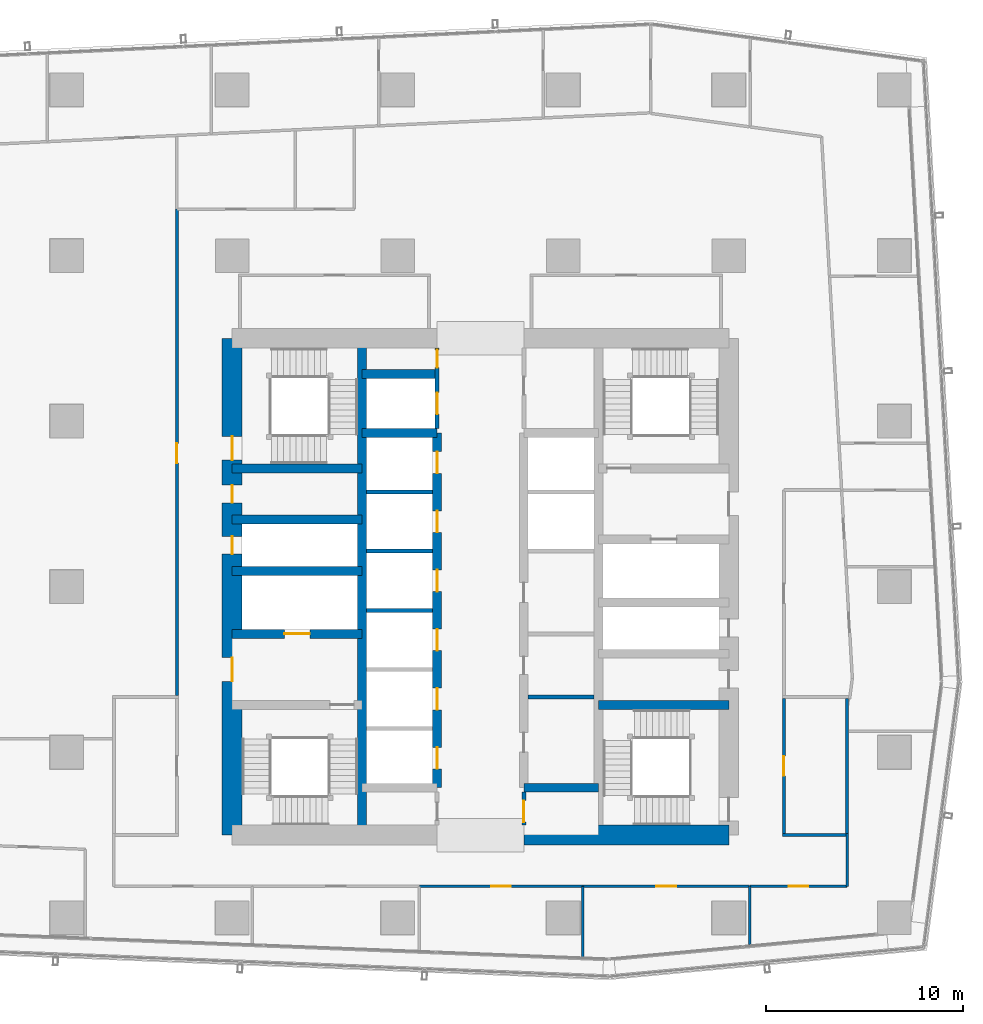
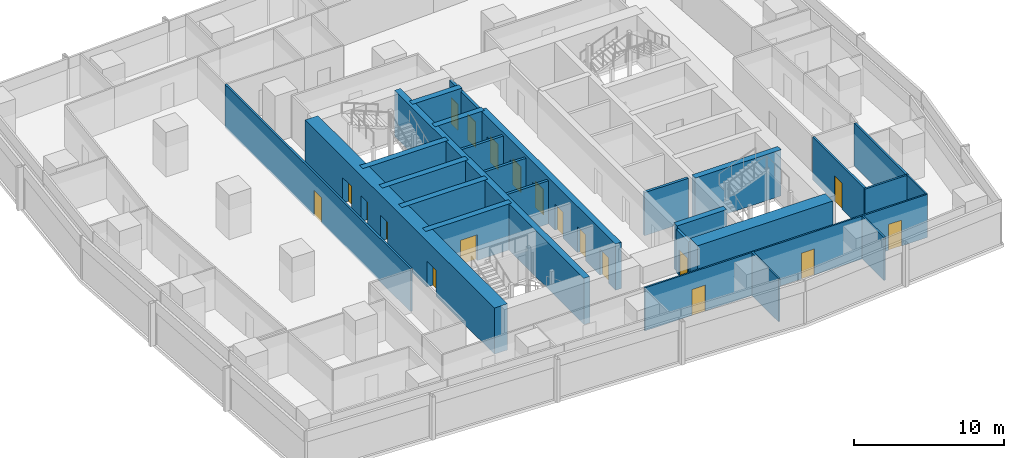
# One storey, part 28 of 39: 28 walls, 19 doors, 19 openings.
"""IFC4 building model written with IfcOpenShell, lengths in metres."""

from ifc_helpers import new_model, si_unit, direction, frame, frame_2d, origin, place, context, subcontext, project, spatial, rectangle, extrude, material, layer, layer_set, type_object, element, fill, save


model = new_model("IFC4")

# Units and contexts
model_context = context("Model", 3, precision=1e-05, world=origin(), true_north=direction((0.0, 1.0)))
body_context = subcontext(model_context, "Body", "Model", "MODEL_VIEW")
ifc_project = project(units=[si_unit("LENGTHUNIT", "METRE"), si_unit("AREAUNIT", "SQUARE_METRE"), si_unit("VOLUMEUNIT", "CUBIC_METRE"), si_unit("PLANEANGLEUNIT", "RADIAN"), si_unit("MASSUNIT", "GRAM", prefix="KILO")], contexts=[model_context])

# Site, building, storey
site_placement = place(None, origin())
site = spatial("IfcSite", under=ifc_project, at=site_placement, CompositionType="ELEMENT")
building_placement = place(site_placement, origin())
building = spatial("IfcBuilding", under=site, at=building_placement, Name="Rekha Terrace Tower", CompositionType="ELEMENT")
storey_placement = place(building_placement, frame((0.0, 0.0, 183.949951171875)))
storey = spatial("IfcBuildingStorey", under=building, at=storey_placement, Name="L46", CompositionType="ELEMENT", Elevation=183.949951171875)

# Wall
ifc_material_1 = material(Name="Concrete M60", Category="concrete")
ifc_layer_1 = layer(ifc_material_1, 0.449951171875)
ifc_layer_set_1 = layer_set([ifc_layer_1], Name="Concrete M60")
wall_type_1 = type_object("IfcWallType", Name="CI3 450 core internal shear wall", PredefinedType="SHEAR", material=ifc_layer_set_1)
wall_1_placement = place(storey_placement, frame((31.800048828125, 21.0, 0.0), z_axis=(0.0, 0.0, 1.0), x_axis=(0.0, 1.0, 0.0)))
element("IfcWall", 1, at=wall_1_placement, inside=storey, type_object=wall_type_1, Name="Core wall X318 L46", PredefinedType="SHEAR", context=body_context, shape_type="SweptSolid", body=[
    extrude(rectangle(XDim=25.199951171875, YDim=0.449951171875, at=frame_2d((12.60009765625, 0.0))), origin(), (0.0, 0.0, 1.0), 3.75),
])

# Wall, openings, doors
wall_2_placement = place(storey_placement, frame((35.60009765625, 23.39990234375, 0.0), z_axis=(0.0, 0.0, 1.0), x_axis=(0.0, 1.0, 0.0)))
wall_2 = element("IfcWall", 2, at=wall_2_placement, inside=storey, type_object=wall_type_1, Name="Core wall X356 L46", PredefinedType="SHEAR", context=body_context, shape_type="SweptSolid", body=[
    extrude(rectangle(XDim=18.0, YDim=0.449951171875, at=frame_2d((9.0, 0.0))), origin(), (0.0, 0.0, 1.0), 3.75),
])
opening_1_placement = place(wall_2_placement, frame((0.949951171875, 0.0, 0.0)))
opening_1 = element("IfcOpeningElement", 3, at=opening_1_placement, cuts=wall_2, Name="Opening LD1", PredefinedType="OPENING", context=body_context, shape_type="SweptSolid", body=[
    extrude(rectangle(XDim=1.10009765625, YDim=2.10009765625, at=frame_2d((0.550048828125, 1.050048828125))), frame((0.0, 0.23486328125, 0.0), z_axis=(0.0, -1.0, 0.0), x_axis=(1.0, 0.0, 0.0)), (0.0, 0.0, 1.0), 0.469970703125),
])
opening_2_placement = place(wall_2_placement, frame((3.949951171875, 0.0, 0.0)))
opening_2 = element("IfcOpeningElement", 4, at=opening_2_placement, cuts=wall_2, Name="Opening LD1", PredefinedType="OPENING", context=body_context, shape_type="SweptSolid", body=[
    extrude(rectangle(XDim=1.10009765625, YDim=2.10009765625, at=frame_2d((0.550048828125, 1.050048828125))), frame((0.0, 0.23486328125, 0.0), z_axis=(0.0, -1.0, 0.0), x_axis=(1.0, 0.0, 0.0)), (0.0, 0.0, 1.0), 0.469970703125),
])
opening_3_placement = place(wall_2_placement, frame((6.949951171875, 0.0, 0.0)))
opening_3 = element("IfcOpeningElement", 5, at=opening_3_placement, cuts=wall_2, Name="Opening LD1", PredefinedType="OPENING", context=body_context, shape_type="SweptSolid", body=[
    extrude(rectangle(XDim=1.10009765625, YDim=2.10009765625, at=frame_2d((0.550048828125, 1.050048828125))), frame((0.0, 0.23486328125, 0.0), z_axis=(0.0, -1.0, 0.0), x_axis=(1.0, 0.0, 0.0)), (0.0, 0.0, 1.0), 0.469970703125),
])
opening_4_placement = place(wall_2_placement, frame((9.949951171875, 0.0, 0.0)))
opening_4 = element("IfcOpeningElement", 6, at=opening_4_placement, cuts=wall_2, Name="Opening LD1", PredefinedType="OPENING", context=body_context, shape_type="SweptSolid", body=[
    extrude(rectangle(XDim=1.10009765625, YDim=2.10009765625, at=frame_2d((0.550048828125, 1.050048828125))), frame((0.0, 0.23486328125, 0.0), z_axis=(0.0, -1.0, 0.0), x_axis=(1.0, 0.0, 0.0)), (0.0, 0.0, 1.0), 0.469970703125),
])
opening_5_placement = place(wall_2_placement, frame((12.949951171875, 0.0, 0.0)))
opening_5 = element("IfcOpeningElement", 7, at=opening_5_placement, cuts=wall_2, Name="Opening LD1", PredefinedType="OPENING", context=body_context, shape_type="SweptSolid", body=[
    extrude(rectangle(XDim=1.10009765625, YDim=2.10009765625, at=frame_2d((0.550048828125, 1.050048828125))), frame((0.0, 0.23486328125, 0.0), z_axis=(0.0, -1.0, 0.0), x_axis=(1.0, 0.0, 0.0)), (0.0, 0.0, 1.0), 0.469970703125),
])
opening_6_placement = place(wall_2_placement, frame((15.949951171875, 0.0, 0.0)))
opening_6 = element("IfcOpeningElement", 8, at=opening_6_placement, cuts=wall_2, Name="Opening LD1", PredefinedType="OPENING", context=body_context, shape_type="SweptSolid", body=[
    extrude(rectangle(XDim=1.10009765625, YDim=2.10009765625, at=frame_2d((0.550048828125, 1.050048828125))), frame((0.0, 0.23486328125, 0.0), z_axis=(0.0, -1.0, 0.0), x_axis=(1.0, 0.0, 0.0)), (0.0, 0.0, 1.0), 0.469970703125),
])
ifc_material_2 = material(Name="Stainless steel sliding landing door", Category="steel")
door_type_1 = type_object("IfcDoorType", Name="LD1 1100x2100 lift landing door", OperationType="SLIDING_TO_LEFT", PredefinedType="USERDEFINED", material=ifc_material_2)
door_1_placement = place(opening_1_placement, origin())
door_1 = element("IfcDoor", 9, at=door_1_placement, inside=storey, type_object=door_type_1, Name="Lift C1 landing door L46", ObjectType="LIFT LANDING DOOR", OperationType="SLIDING_TO_LEFT", OverallHeight=2.10009765625, OverallWidth=1.10009765625, PredefinedType="USERDEFINED", context=body_context, shape_type="SweptSolid", body=[
    extrude(rectangle(XDim=1.10009765625, YDim=2.10009765625, at=frame_2d((0.550048828125, 1.050048828125))), frame((0.0, 0.02490234375, 0.0), z_axis=(0.0, -1.0, 0.0), x_axis=(1.0, 0.0, 0.0)), (0.0, 0.0, 1.0), 0.050048828125),
])
fill(opening_1, door_1)
door_2_placement = place(opening_2_placement, origin())
door_2 = element("IfcDoor", 10, at=door_2_placement, inside=storey, type_object=door_type_1, Name="Lift C2 landing door L46", ObjectType="LIFT LANDING DOOR", OperationType="SLIDING_TO_LEFT", OverallHeight=2.10009765625, OverallWidth=1.10009765625, PredefinedType="USERDEFINED", context=body_context, shape_type="SweptSolid", body=[
    extrude(rectangle(XDim=1.10009765625, YDim=2.10009765625, at=frame_2d((0.550048828125, 1.050048828125))), frame((0.0, 0.02490234375, 0.0), z_axis=(0.0, -1.0, 0.0), x_axis=(1.0, 0.0, 0.0)), (0.0, 0.0, 1.0), 0.050048828125),
])
fill(opening_2, door_2)
door_3_placement = place(opening_3_placement, origin())
door_3 = element("IfcDoor", 11, at=door_3_placement, inside=storey, type_object=door_type_1, Name="Lift C3 landing door L46", ObjectType="LIFT LANDING DOOR", OperationType="SLIDING_TO_LEFT", OverallHeight=2.10009765625, OverallWidth=1.10009765625, PredefinedType="USERDEFINED", context=body_context, shape_type="SweptSolid", body=[
    extrude(rectangle(XDim=1.10009765625, YDim=2.10009765625, at=frame_2d((0.550048828125, 1.050048828125))), frame((0.0, 0.02490234375, 0.0), z_axis=(0.0, -1.0, 0.0), x_axis=(1.0, 0.0, 0.0)), (0.0, 0.0, 1.0), 0.050048828125),
])
fill(opening_3, door_3)
door_4_placement = place(opening_4_placement, origin())
door_4 = element("IfcDoor", 12, at=door_4_placement, inside=storey, type_object=door_type_1, Name="Lift C4 landing door L46", ObjectType="LIFT LANDING DOOR", OperationType="SLIDING_TO_LEFT", OverallHeight=2.10009765625, OverallWidth=1.10009765625, PredefinedType="USERDEFINED", context=body_context, shape_type="SweptSolid", body=[
    extrude(rectangle(XDim=1.10009765625, YDim=2.10009765625, at=frame_2d((0.550048828125, 1.050048828125))), frame((0.0, 0.02490234375, 0.0), z_axis=(0.0, -1.0, 0.0), x_axis=(1.0, 0.0, 0.0)), (0.0, 0.0, 1.0), 0.050048828125),
])
fill(opening_4, door_4)
door_5_placement = place(opening_5_placement, origin())
door_5 = element("IfcDoor", 13, at=door_5_placement, inside=storey, type_object=door_type_1, Name="Lift C5 landing door L46", ObjectType="LIFT LANDING DOOR", OperationType="SLIDING_TO_LEFT", OverallHeight=2.10009765625, OverallWidth=1.10009765625, PredefinedType="USERDEFINED", context=body_context, shape_type="SweptSolid", body=[
    extrude(rectangle(XDim=1.10009765625, YDim=2.10009765625, at=frame_2d((0.550048828125, 1.050048828125))), frame((0.0, 0.02490234375, 0.0), z_axis=(0.0, -1.0, 0.0), x_axis=(1.0, 0.0, 0.0)), (0.0, 0.0, 1.0), 0.050048828125),
])
fill(opening_5, door_5)
door_6_placement = place(opening_6_placement, origin())
door_6 = element("IfcDoor", 14, at=door_6_placement, inside=storey, type_object=door_type_1, Name="Lift C6 landing door L46", ObjectType="LIFT LANDING DOOR", OperationType="SLIDING_TO_LEFT", OverallHeight=2.10009765625, OverallWidth=1.10009765625, PredefinedType="USERDEFINED", context=body_context, shape_type="SweptSolid", body=[
    extrude(rectangle(XDim=1.10009765625, YDim=2.10009765625, at=frame_2d((0.550048828125, 1.050048828125))), frame((0.0, 0.02490234375, 0.0), z_axis=(0.0, -1.0, 0.0), x_axis=(1.0, 0.0, 0.0)), (0.0, 0.0, 1.0), 0.050048828125),
])
fill(opening_6, door_6)

# Walls
for number, where, z_axis, x_axis, name in (
    (15, (31.800048828125, 41.39990234375, 0.0), (0.0, 0.0, 1.0), (1.0, 0.0, 0.0), "Core wall Y414W L46"),
    (16, (31.800048828125, 44.39990234375, 0.0), (0.0, 0.0, 1.0), (1.0, 0.0, 0.0), "Core wall Y444W L46"),
    (17, (40.0, 23.39990234375, 0.0), (0.0, 0.0, 1.0), (1.0, 0.0, 0.0), "Core wall Y234E L46"),
):
    element("IfcWall", number, at=place(storey_placement, frame(where, z_axis=z_axis, x_axis=x_axis)), inside=storey, type_object=wall_type_1, Name=name, PredefinedType="SHEAR", context=body_context, shape_type="SweptSolid", body=[
        extrude(rectangle(XDim=3.800048828125, YDim=0.449951171875, at=frame_2d((1.89990234375, 0.0))), origin(), (0.0, 0.0, 1.0), 3.75),
    ])

# Wall, opening, door
wall_3_placement = place(storey_placement, frame((25.199951171875, 31.199951171875, 0.0), z_axis=(0.0, 0.0, 1.0), x_axis=(1.0, 0.0, 0.0)))
wall_3 = element("IfcWall", 18, at=wall_3_placement, inside=storey, type_object=wall_type_1, Name="Core wall Y312W L46", PredefinedType="SHEAR", context=body_context, shape_type="SweptSolid", body=[
    extrude(rectangle(XDim=6.60009765625, YDim=0.449951171875, at=frame_2d((3.300048828125, 0.0))), origin(), (0.0, 0.0, 1.0), 3.75),
])
opening_7_placement = place(wall_3_placement, frame((2.64990234375, 0.0, 0.0)))
opening_7 = element("IfcOpeningElement", 19, at=opening_7_placement, cuts=wall_3, Name="Opening LD2", PredefinedType="OPENING", context=body_context, shape_type="SweptSolid", body=[
    extrude(rectangle(XDim=1.300048828125, YDim=2.10009765625, at=frame_2d((0.64990234375, 1.050048828125))), frame((0.0, 0.23486328125, 0.0), z_axis=(0.0, -1.0, 0.0), x_axis=(1.0, 0.0, 0.0)), (0.0, 0.0, 1.0), 0.469970703125),
])
door_type_2 = type_object("IfcDoorType", Name="LD2 1300x2100 fire lift landing door", OperationType="SLIDING_TO_LEFT", PredefinedType="USERDEFINED", material=ifc_material_2)
door_7_placement = place(opening_7_placement, origin())
door_7 = element("IfcDoor", 20, at=door_7_placement, inside=storey, type_object=door_type_2, Name="Lift FL1 landing door L46", ObjectType="LIFT LANDING DOOR", OperationType="SLIDING_TO_LEFT", OverallHeight=2.10009765625, OverallWidth=1.300048828125, PredefinedType="USERDEFINED", context=body_context, shape_type="SweptSolid", body=[
    extrude(rectangle(XDim=1.300048828125, YDim=2.10009765625, at=frame_2d((0.64990234375, 1.050048828125))), frame((0.0, 0.02490234375, 0.0), z_axis=(0.0, -1.0, 0.0), x_axis=(1.0, 0.0, 0.0)), (0.0, 0.0, 1.0), 0.050048828125),
])
fill(opening_7, door_7)

# Walls
for number, where, z_axis, x_axis, name in (
    (21, (25.199951171875, 34.39990234375, 0.0), (0.0, 0.0, 1.0), (1.0, 0.0, 0.0), "Core wall Y344W L46"),
    (22, (25.199951171875, 37.0, 0.0), (0.0, 0.0, 1.0), (1.0, 0.0, 0.0), "Core wall Y370W L46"),
    (23, (25.199951171875, 39.60009765625, 0.0), (0.0, 0.0, 1.0), (1.0, 0.0, 0.0), "Core wall Y396W L46"),
):
    element("IfcWall", number, at=place(storey_placement, frame(where, z_axis=z_axis, x_axis=x_axis)), inside=storey, type_object=wall_type_1, Name=name, PredefinedType="SHEAR", context=body_context, shape_type="SweptSolid", body=[
        extrude(rectangle(XDim=6.60009765625, YDim=0.449951171875, at=frame_2d((3.300048828125, 0.0))), origin(), (0.0, 0.0, 1.0), 3.75),
    ])
wall_4_placement = place(storey_placement, frame((43.800048828125, 27.60009765625, 0.0), z_axis=(0.0, 0.0, 1.0), x_axis=(1.0, 0.0, 0.0)))
element("IfcWall", 24, at=wall_4_placement, inside=storey, type_object=wall_type_1, Name="Core wall Y276E L46", PredefinedType="SHEAR", context=body_context, shape_type="SweptSolid", body=[
    extrude(rectangle(XDim=6.599853515625, YDim=0.449951171875, at=frame_2d((3.2998046875, 0.0))), origin(), (0.0, 0.0, 1.0), 3.75),
])
ifc_layer_2 = layer(ifc_material_1, 1.0)
ifc_layer_set_2 = layer_set([ifc_layer_2], Name="Concrete M60")
wall_type_2 = type_object("IfcWallType", Name="SW3 1000 core outer shear wall", PredefinedType="SHEAR", material=ifc_layer_set_2)
wall_5_placement = place(storey_placement, frame((40.0, 21.0, 0.0), z_axis=(0.0, 0.0, 1.0), x_axis=(1.0, 0.0, 0.0)))
element("IfcWall", 25, at=wall_5_placement, inside=storey, type_object=wall_type_2, Name="Core wall S2 L46", PredefinedType="SHEAR", context=body_context, shape_type="SweptSolid", body=[
    extrude(rectangle(XDim=10.39990234375, YDim=1.0, at=frame_2d((5.199951171875, 0.0))), origin(), (0.0, 0.0, 1.0), 3.75),
])

# Wall, openings, doors
wall_6_placement = place(storey_placement, frame((25.199951171875, 21.0, 0.0), z_axis=(0.0, 0.0, 1.0), x_axis=(0.0, 1.0, 0.0)))
wall_6 = element("IfcWall", 26, at=wall_6_placement, inside=storey, type_object=wall_type_2, Name="Core wall W L46", PredefinedType="SHEAR", context=body_context, shape_type="SweptSolid", body=[
    extrude(rectangle(XDim=25.199951171875, YDim=1.0, at=frame_2d((12.60009765625, 0.0))), origin(), (0.0, 0.0, 1.0), 3.75),
])
opening_8_placement = place(wall_6_placement, frame((7.800048828125, 0.0, 0.0)))
opening_8 = element("IfcOpeningElement", 27, at=opening_8_placement, cuts=wall_6, Name="Opening D2", PredefinedType="OPENING", context=body_context, shape_type="SweptSolid", body=[
    extrude(rectangle(XDim=1.199951171875, YDim=2.10009765625, at=frame_2d((0.60009765625, 1.050048828125))), frame((0.0, 0.510009765625, 0.0), z_axis=(0.0, -1.0, 0.0), x_axis=(1.0, 0.0, 0.0)), (0.0, 0.0, 1.0), 1.02001953125),
])
opening_9_placement = place(wall_6_placement, frame((14.25, 0.0, 0.0)))
opening_9 = element("IfcOpeningElement", 28, at=opening_9_placement, cuts=wall_6, Name="Opening D5", PredefinedType="OPENING", context=body_context, shape_type="SweptSolid", body=[
    extrude(rectangle(XDim=0.89990234375, YDim=2.10009765625, at=frame_2d((0.449951171875, 1.050048828125))), frame((0.0, 0.510009765625, 0.0), z_axis=(0.0, -1.0, 0.0), x_axis=(1.0, 0.0, 0.0)), (0.0, 0.0, 1.0), 1.02001953125),
])
opening_10_placement = place(wall_6_placement, frame((16.85009765625, 0.0, 0.0)))
opening_10 = element("IfcOpeningElement", 29, at=opening_10_placement, cuts=wall_6, Name="Opening D5", PredefinedType="OPENING", context=body_context, shape_type="SweptSolid", body=[
    extrude(rectangle(XDim=0.89990234375, YDim=2.10009765625, at=frame_2d((0.449951171875, 1.050048828125))), frame((0.0, 0.510009765625, 0.0), z_axis=(0.0, -1.0, 0.0), x_axis=(1.0, 0.0, 0.0)), (0.0, 0.0, 1.0), 1.02001953125),
])
opening_11_placement = place(wall_6_placement, frame((19.02490234375, 0.0, 0.0)))
opening_11 = element("IfcOpeningElement", 30, at=opening_11_placement, cuts=wall_6, Name="Opening D1", PredefinedType="OPENING", context=body_context, shape_type="SweptSolid", body=[
    extrude(rectangle(XDim=1.199951171875, YDim=2.10009765625, at=frame_2d((0.60009765625, 1.050048828125))), frame((0.0, 0.510009765625, 0.0), z_axis=(0.0, -1.0, 0.0), x_axis=(1.0, 0.0, 0.0)), (0.0, 0.0, 1.0), 1.02001953125),
])
ifc_material_3 = material(Name="Steel fire door", Category="steel")
door_type_3 = type_object("IfcDoorType", Name="D1 1200x2100 stair fire door", OperationType="SINGLE_SWING_RIGHT", PredefinedType="DOOR", material=ifc_material_3)
door_8_placement = place(opening_11_placement, origin())
door_8 = element("IfcDoor", 31, at=door_8_placement, inside=storey, type_object=door_type_3, Name="Stair ST4 door L46", OperationType="SINGLE_SWING_RIGHT", OverallHeight=2.10009765625, OverallWidth=1.199951171875, PredefinedType="DOOR", context=body_context, shape_type="SweptSolid", body=[
    extrude(rectangle(XDim=1.199951171875, YDim=2.10009765625, at=frame_2d((0.60009765625, 1.050048828125))), frame((0.0, 0.02490234375, 0.0), z_axis=(0.0, -1.0, 0.0), x_axis=(1.0, 0.0, 0.0)), (0.0, 0.0, 1.0), 0.050048828125),
])
fill(opening_11, door_8)
door_type_4 = type_object("IfcDoorType", Name="D2 1200x2100 firefighting lobby door", OperationType="SINGLE_SWING_LEFT", PredefinedType="DOOR", material=ifc_material_3)
door_9_placement = place(opening_8_placement, origin())
door_9 = element("IfcDoor", 32, at=door_9_placement, inside=storey, type_object=door_type_4, Name="Door flb1 L46", OperationType="SINGLE_SWING_LEFT", OverallHeight=2.10009765625, OverallWidth=1.199951171875, PredefinedType="DOOR", context=body_context, shape_type="SweptSolid", body=[
    extrude(rectangle(XDim=1.199951171875, YDim=2.10009765625, at=frame_2d((0.60009765625, 1.050048828125))), frame((0.0, 0.02490234375, 0.0), z_axis=(0.0, -1.0, 0.0), x_axis=(1.0, 0.0, 0.0)), (0.0, 0.0, 1.0), 0.050048828125),
])
fill(opening_8, door_9)
door_type_5 = type_object("IfcDoorType", Name="D5 900x2100 riser access door", OperationType="SINGLE_SWING_LEFT", PredefinedType="DOOR", material=ifc_material_3)
door_10_placement = place(opening_9_placement, origin())
door_10 = element("IfcDoor", 33, at=door_10_placement, inside=storey, type_object=door_type_5, Name="Door rs1 L46", OperationType="SINGLE_SWING_LEFT", OverallHeight=2.10009765625, OverallWidth=0.89990234375, PredefinedType="DOOR", context=body_context, shape_type="SweptSolid", body=[
    extrude(rectangle(XDim=0.89990234375, YDim=2.10009765625, at=frame_2d((0.449951171875, 1.050048828125))), frame((0.0, 0.02490234375, 0.0), z_axis=(0.0, -1.0, 0.0), x_axis=(1.0, 0.0, 0.0)), (0.0, 0.0, 1.0), 0.050048828125),
])
fill(opening_9, door_10)
door_11_placement = place(opening_10_placement, origin())
door_11 = element("IfcDoor", 34, at=door_11_placement, inside=storey, type_object=door_type_5, Name="Door elw L46", OperationType="SINGLE_SWING_LEFT", OverallHeight=2.10009765625, OverallWidth=0.89990234375, PredefinedType="DOOR", context=body_context, shape_type="SweptSolid", body=[
    extrude(rectangle(XDim=0.89990234375, YDim=2.10009765625, at=frame_2d((0.449951171875, 1.050048828125))), frame((0.0, 0.02490234375, 0.0), z_axis=(0.0, -1.0, 0.0), x_axis=(1.0, 0.0, 0.0)), (0.0, 0.0, 1.0), 0.050048828125),
])
fill(opening_10, door_11)

# Wall
ifc_material_4 = material(Name="Concrete block masonry, 1 hour", Category="masonry")
ifc_layer_3 = layer(ifc_material_4, 0.14990234375)
ifc_layer_set_3 = layer_set([ifc_layer_3], Name="Concrete block masonry, 1 hour")
wall_type_3 = type_object("IfcWallType", Name="WP2 150 tenancy partition", PredefinedType="PARTITIONING", material=ifc_layer_set_3)
wall_7_placement = place(storey_placement, frame((53.125, 21.0, 0.0), z_axis=(0.0, 0.0, 1.0), x_axis=(1.0, 0.0, 0.0)))
element("IfcWall", 35, at=wall_7_placement, inside=storey, type_object=wall_type_3, Name="Men's WC wall L46", PredefinedType="PARTITIONING", context=body_context, shape_type="SweptSolid", body=[
    extrude(rectangle(XDim=3.35009765625, YDim=0.14990234375, at=frame_2d((1.675048828125, 0.0))), origin(), (0.0, 0.0, 1.0), 3.5),
])

# Wall, opening, door
wall_8_placement = place(storey_placement, frame((53.199951171875, 21.074951171875, 0.0), z_axis=(0.0, 0.0, 1.0), x_axis=(0.0, 1.0, 0.0)))
wall_8 = element("IfcWall", 36, at=wall_8_placement, inside=storey, type_object=wall_type_3, Name="Men's WC wall L46", PredefinedType="PARTITIONING", context=body_context, shape_type="SweptSolid", body=[
    extrude(rectangle(XDim=6.85009765625, YDim=0.14990234375, at=frame_2d((3.425048828125, 0.0))), origin(), (0.0, 0.0, 1.0), 3.5),
])
opening_12_placement = place(wall_8_placement, frame((2.925048828125, 0.0, 0.0)))
opening_12 = element("IfcOpeningElement", 37, at=opening_12_placement, cuts=wall_8, Name="Opening D3", PredefinedType="OPENING", context=body_context, shape_type="SweptSolid", body=[
    extrude(rectangle(XDim=1.0, YDim=2.10009765625, at=frame_2d((0.5, 1.050048828125))), frame((0.0, 0.0849609375, 0.0), z_axis=(0.0, -1.0, 0.0), x_axis=(1.0, 0.0, 0.0)), (0.0, 0.0, 1.0), 0.169921875),
])
ifc_material_5 = material(Name="Laminated timber fire door", Category="wood")
door_type_6 = type_object("IfcDoorType", Name="D3 1000x2100 WC door", OperationType="SINGLE_SWING_LEFT", PredefinedType="DOOR", material=ifc_material_5)
door_12_placement = place(opening_12_placement, origin())
door_12 = element("IfcDoor", 38, at=door_12_placement, inside=storey, type_object=door_type_6, Name="Door men's wc L46", OperationType="SINGLE_SWING_LEFT", OverallHeight=2.10009765625, OverallWidth=1.0, PredefinedType="DOOR", context=body_context, shape_type="SweptSolid", body=[
    extrude(rectangle(XDim=1.0, YDim=2.10009765625, at=frame_2d((0.5, 1.050048828125))), frame((0.0, 0.02490234375, 0.0), z_axis=(0.0, -1.0, 0.0), x_axis=(1.0, 0.0, 0.0)), (0.0, 0.0, 1.0), 0.050048828125),
])
fill(opening_12, door_12)

# Wall
wall_9_placement = place(storey_placement, frame((56.39990234375, 21.074951171875, 0.0), z_axis=(0.0, 0.0, 1.0), x_axis=(0.0, 1.0, 0.0)))
element("IfcWall", 39, at=wall_9_placement, inside=storey, type_object=wall_type_3, Name="Men's WC wall L46", PredefinedType="PARTITIONING", context=body_context, shape_type="SweptSolid", body=[
    extrude(rectangle(XDim=6.85009765625, YDim=0.14990234375, at=frame_2d((3.425048828125, 0.0))), origin(), (0.0, 0.0, 1.0), 3.5),
])

# Wall, opening, door
wall_10_placement = place(storey_placement, frame((22.39990234375, 52.75, 0.0), z_axis=(0.0, 0.0, 1.0), x_axis=(0.0, -1.0, 0.0)))
wall_10 = element("IfcWall", 40, at=wall_10_placement, inside=storey, type_object=wall_type_3, Name="Partition L46-O2", PredefinedType="PARTITIONING", context=body_context, shape_type="SweptSolid", body=[
    extrude(rectangle(XDim=24.675048828125, YDim=0.14990234375, at=frame_2d((12.33740234375, 0.0))), origin(), (0.0, 0.0, 1.0), 3.5),
])
opening_13_placement = place(wall_10_placement, frame((11.875, 0.0, 0.0)))
opening_13 = element("IfcOpeningElement", 41, at=opening_13_placement, cuts=wall_10, Name="Opening D9", PredefinedType="OPENING", context=body_context, shape_type="SweptSolid", body=[
    extrude(rectangle(XDim=1.0, YDim=2.10009765625, at=frame_2d((0.5, 1.050048828125))), frame((0.0, 0.0849609375, 0.0), z_axis=(0.0, -1.0, 0.0), x_axis=(1.0, 0.0, 0.0)), (0.0, 0.0, 1.0), 0.169921875),
])
ifc_material_6 = material(Name="Timber fire door", Category="wood")
door_type_7 = type_object("IfcDoorType", Name="D9 1000x2100 office door", OperationType="SINGLE_SWING_LEFT", PredefinedType="DOOR", material=ifc_material_6)
door_13_placement = place(opening_13_placement, origin())
door_13 = element("IfcDoor", 42, at=door_13_placement, inside=storey, type_object=door_type_7, Name="Door open-plan office L46", OperationType="SINGLE_SWING_LEFT", OverallHeight=2.10009765625, OverallWidth=1.0, PredefinedType="DOOR", context=body_context, shape_type="SweptSolid", body=[
    extrude(rectangle(XDim=1.0, YDim=2.10009765625, at=frame_2d((0.5, 1.050048828125))), frame((0.0, 0.02490234375, 0.0), z_axis=(0.0, -1.0, 0.0), x_axis=(1.0, 0.0, 0.0)), (0.0, 0.0, 1.0), 0.050048828125),
])
fill(opening_13, door_13)

ifc_material_7 = material(Name="Two layers of fire-rated gypsum board each side on steel studs, acoustic quilt, 1 hour", Category="steel")
ifc_layer_4 = layer(ifc_material_7, 0.125)
ifc_layer_set_4 = layer_set([ifc_layer_4], Name="Two layers of fire-rated gypsum board each side on steel studs, acoustic quilt, 1 hour")
wall_type_4 = type_object("IfcWallType", Name="WP3 125 office partition", PredefinedType="PARTITIONING", material=ifc_layer_set_4)
wall_11_placement = place(storey_placement, frame((34.7060546875, 18.39990234375, 0.0), z_axis=(0.0, 0.0, 1.0), x_axis=(1.0, 0.0, 0.0)))
wall_11 = element("IfcWall", 43, at=wall_11_placement, inside=storey, type_object=wall_type_4, Name="Partition L46-02", PredefinedType="PARTITIONING", context=body_context, shape_type="SweptSolid", body=[
    extrude(rectangle(XDim=8.291015625, YDim=0.125, at=frame_2d((4.1455078125, 0.0))), origin(), (0.0, 0.0, 1.0), 3.5),
])
opening_14_placement = place(wall_11_placement, frame((3.64501953125, 0.0, 0.0)))
opening_14 = element("IfcOpeningElement", 44, at=opening_14_placement, cuts=wall_11, Name="Opening D9", PredefinedType="OPENING", context=body_context, shape_type="SweptSolid", body=[
    extrude(rectangle(XDim=1.0, YDim=2.10009765625, at=frame_2d((0.5, 1.050048828125))), frame((0.0, 0.072509765625, 0.0), z_axis=(0.0, -1.0, 0.0), x_axis=(1.0, 0.0, 0.0)), (0.0, 0.0, 1.0), 0.14501953125),
])
door_14_placement = place(opening_14_placement, origin())
door_14 = element("IfcDoor", 45, at=door_14_placement, inside=storey, type_object=door_type_7, Name="Door meeting room L46", OperationType="SINGLE_SWING_LEFT", OverallHeight=2.10009765625, OverallWidth=1.0, PredefinedType="DOOR", context=body_context, shape_type="SweptSolid", body=[
    extrude(rectangle(XDim=1.0, YDim=2.10009765625, at=frame_2d((0.5, 1.050048828125))), frame((0.0, 0.02490234375, 0.0), z_axis=(0.0, -1.0, 0.0), x_axis=(1.0, 0.0, 0.0)), (0.0, 0.0, 1.0), 0.050048828125),
])
fill(opening_14, door_14)

# Wall
wall_12_placement = place(storey_placement, frame((42.9970703125, 18.39990234375, 0.0), z_axis=(0.0, 0.0, 1.0), x_axis=(0.0, -1.0, 0.0)))
element("IfcWall", 46, at=wall_12_placement, inside=storey, type_object=wall_type_4, Name="Partition L46-02", PredefinedType="PARTITIONING", context=body_context, shape_type="SweptSolid", body=[
    extrude(rectangle(XDim=3.5859375, YDim=0.125, at=frame_2d((1.79296875, 0.0))), origin(), (0.0, 0.0, 1.0), 3.5),
])

# Wall, opening, door
wall_13_placement = place(storey_placement, frame((42.998046875, 18.39990234375, 0.0), z_axis=(0.0, 0.0, 1.0), x_axis=(1.0, 0.0, 0.0)))
wall_13 = element("IfcWall", 47, at=wall_13_placement, inside=storey, type_object=wall_type_4, Name="Partition L46-03", PredefinedType="PARTITIONING", context=body_context, shape_type="SweptSolid", body=[
    extrude(rectangle(XDim=8.466064453125, YDim=0.125, at=frame_2d((4.23291015625, 0.0))), origin(), (0.0, 0.0, 1.0), 3.5),
])
opening_15_placement = place(wall_13_placement, frame((3.73291015625, 0.0, 0.0)))
opening_15 = element("IfcOpeningElement", 48, at=opening_15_placement, cuts=wall_13, Name="Opening D9", PredefinedType="OPENING", context=body_context, shape_type="SweptSolid", body=[
    extrude(rectangle(XDim=1.0, YDim=2.10009765625, at=frame_2d((0.5, 1.050048828125))), frame((0.0, 0.072509765625, 0.0), z_axis=(0.0, -1.0, 0.0), x_axis=(1.0, 0.0, 0.0)), (0.0, 0.0, 1.0), 0.14501953125),
])
door_15_placement = place(opening_15_placement, origin())
door_15 = element("IfcDoor", 49, at=door_15_placement, inside=storey, type_object=door_type_7, Name="Door pantry L46", OperationType="SINGLE_SWING_LEFT", OverallHeight=2.10009765625, OverallWidth=1.0, PredefinedType="DOOR", context=body_context, shape_type="SweptSolid", body=[
    extrude(rectangle(XDim=1.0, YDim=2.10009765625, at=frame_2d((0.5, 1.050048828125))), frame((0.0, 0.02490234375, 0.0), z_axis=(0.0, -1.0, 0.0), x_axis=(1.0, 0.0, 0.0)), (0.0, 0.0, 1.0), 0.050048828125),
])
fill(opening_15, door_15)

# Wall
wall_14_placement = place(storey_placement, frame((51.464111328125, 18.39990234375, 0.0), z_axis=(0.0, 0.0, 1.0), x_axis=(0.0, -1.0, 0.0)))
element("IfcWall", 50, at=wall_14_placement, inside=storey, type_object=wall_type_4, Name="Partition L46-03", PredefinedType="PARTITIONING", context=body_context, shape_type="SweptSolid", body=[
    extrude(rectangle(XDim=2.94189453125, YDim=0.125, at=frame_2d((1.470947265625, 0.0))), origin(), (0.0, 0.0, 1.0), 3.5),
])

# Wall, opening, door
wall_15_placement = place(storey_placement, frame((51.465087890625, 18.39990234375, 0.0), z_axis=(0.0, 0.0, 1.0), x_axis=(1.0, 0.0, 0.0)))
wall_15 = element("IfcWall", 51, at=wall_15_placement, inside=storey, type_object=wall_type_4, Name="Partition L46-04", PredefinedType="PARTITIONING", context=body_context, shape_type="SweptSolid", body=[
    extrude(rectangle(XDim=4.934814453125, YDim=0.125, at=frame_2d((2.46728515625, 0.0))), origin(), (0.0, 0.0, 1.0), 3.5),
])
opening_16_placement = place(wall_15_placement, frame((1.968017578125, 0.0, 0.0)))
opening_16 = element("IfcOpeningElement", 52, at=opening_16_placement, cuts=wall_15, Name="Opening D9", PredefinedType="OPENING", context=body_context, shape_type="SweptSolid", body=[
    extrude(rectangle(XDim=1.0, YDim=2.10009765625, at=frame_2d((0.5, 1.050048828125))), frame((0.0, 0.072509765625, 0.0), z_axis=(0.0, -1.0, 0.0), x_axis=(1.0, 0.0, 0.0)), (0.0, 0.0, 1.0), 0.14501953125),
])
door_16_placement = place(opening_16_placement, origin())
door_16 = element("IfcDoor", 53, at=door_16_placement, inside=storey, type_object=door_type_7, Name="Door director's office L46", OperationType="SINGLE_SWING_LEFT", OverallHeight=2.10009765625, OverallWidth=1.0, PredefinedType="DOOR", context=body_context, shape_type="SweptSolid", body=[
    extrude(rectangle(XDim=1.0, YDim=2.10009765625, at=frame_2d((0.5, 1.050048828125))), frame((0.0, 0.02490234375, 0.0), z_axis=(0.0, -1.0, 0.0), x_axis=(1.0, 0.0, 0.0)), (0.0, 0.0, 1.0), 0.050048828125),
])
fill(opening_16, door_16)

# Walls
wall_16_placement = place(storey_placement, frame((56.39990234375, 18.39990234375, 0.0), z_axis=(0.0, 0.0, 1.0), x_axis=(0.0, 1.0, 0.0)))
element("IfcWall", 54, at=wall_16_placement, inside=storey, type_object=wall_type_4, Name="Partition L46-04", PredefinedType="PARTITIONING", context=body_context, shape_type="SweptSolid", body=[
    extrude(rectangle(XDim=2.675048828125, YDim=0.125, at=frame_2d((1.33740234375, 0.0))), origin(), (0.0, 0.0, 1.0), 3.5),
])
ifc_material_8 = material(Name="Solid concrete block masonry, 2 hour", Category="masonry")
ifc_layer_5 = layer(ifc_material_8, 0.199951171875)
ifc_layer_set_5 = layer_set([ifc_layer_5], Name="Solid concrete block masonry, 2 hour")
wall_type_5 = type_object("IfcWallType", Name="WS1 200 stair and shaft enclosure", PredefinedType="PARTITIONING", material=ifc_layer_set_5)
for number, where, z_axis, x_axis, name in (
    (55, (32.02490234375, 32.39990234375, 0.0), (0.0, 0.0, 1.0), (1.0, 0.0, 0.0), "Lift shaft divider L46"),
    (56, (32.02490234375, 35.39990234375, 0.0), (0.0, 0.0, 1.0), (1.0, 0.0, 0.0), "Lift shaft divider L46"),
    (57, (32.02490234375, 38.39990234375, 0.0), (0.0, 0.0, 1.0), (1.0, 0.0, 0.0), "Lift shaft divider L46"),
):
    element("IfcWall", number, at=place(storey_placement, frame(where, z_axis=z_axis, x_axis=x_axis)), inside=storey, type_object=wall_type_5, Name=name, PredefinedType="PARTITIONING", context=body_context, shape_type="SweptSolid", body=[
        extrude(rectangle(XDim=3.35009765625, YDim=0.199951171875, at=frame_2d((1.675048828125, 0.0))), origin(), (0.0, 0.0, 1.0), 3.5),
    ])

# Wall, opening, door
wall_17_placement = place(storey_placement, frame((40.0, 21.5, 0.0), z_axis=(0.0, 0.0, 1.0), x_axis=(0.0, 1.0, 0.0)))
wall_17 = element("IfcWall", 58, at=wall_17_placement, inside=storey, type_object=wall_type_5, Name="Core partition wca L46", PredefinedType="PARTITIONING", context=body_context, shape_type="SweptSolid", body=[
    extrude(rectangle(XDim=1.675048828125, YDim=0.199951171875, at=frame_2d((0.83740234375, 0.0))), origin(), (0.0, 0.0, 1.0), 3.5),
])
opening_17_placement = place(wall_17_placement, frame((0.14990234375, 0.0, 0.0)))
opening_17 = element("IfcOpeningElement", 59, at=opening_17_placement, cuts=wall_17, Name="Opening D4", PredefinedType="OPENING", context=body_context, shape_type="SweptSolid", body=[
    extrude(rectangle(XDim=1.10009765625, YDim=2.10009765625, at=frame_2d((0.550048828125, 1.050048828125))), frame((0.0, 0.10986328125, 0.0), z_axis=(0.0, -1.0, 0.0), x_axis=(1.0, 0.0, 0.0)), (0.0, 0.0, 1.0), 0.219970703125),
])
door_type_8 = type_object("IfcDoorType", Name="D4 1100x2100 accessible WC door", OperationType="SLIDING_TO_LEFT", PredefinedType="DOOR", material=ifc_material_5)
door_17_placement = place(opening_17_placement, origin())
door_17 = element("IfcDoor", 60, at=door_17_placement, inside=storey, type_object=door_type_8, Name="Door wca L46", OperationType="SLIDING_TO_LEFT", OverallHeight=2.10009765625, OverallWidth=1.10009765625, PredefinedType="DOOR", context=body_context, shape_type="SweptSolid", body=[
    extrude(rectangle(XDim=1.10009765625, YDim=2.10009765625, at=frame_2d((0.550048828125, 1.050048828125))), frame((0.0, 0.02490234375, 0.0), z_axis=(0.0, -1.0, 0.0), x_axis=(1.0, 0.0, 0.0)), (0.0, 0.0, 1.0), 0.050048828125),
])
fill(opening_17, door_17)

# Wall, openings, doors
wall_18_placement = place(storey_placement, frame((35.60009765625, 41.625, 0.0), z_axis=(0.0, 0.0, 1.0), x_axis=(0.0, 1.0, 0.0)))
wall_18 = element("IfcWall", 61, at=wall_18_placement, inside=storey, type_object=wall_type_5, Name="Core partition jansv L46", PredefinedType="PARTITIONING", context=body_context, shape_type="SweptSolid", body=[
    extrude(rectangle(XDim=4.074951171875, YDim=0.199951171875, at=frame_2d((2.03759765625, 0.0))), origin(), (0.0, 0.0, 1.0), 3.5),
])
opening_18_placement = place(wall_18_placement, frame((3.087890625, 0.0, 0.0)))
opening_18 = element("IfcOpeningElement", 62, at=opening_18_placement, cuts=wall_18, Name="Opening D5", PredefinedType="OPENING", context=body_context, shape_type="SweptSolid", body=[
    extrude(rectangle(XDim=0.89990234375, YDim=2.10009765625, at=frame_2d((0.449951171875, 1.050048828125))), frame((0.0, 0.10986328125, 0.0), z_axis=(0.0, -1.0, 0.0), x_axis=(1.0, 0.0, 0.0)), (0.0, 0.0, 1.0), 0.219970703125),
])
opening_19_placement = place(wall_18_placement, frame((0.72509765625, 0.0, 0.0)))
opening_19 = element("IfcOpeningElement", 63, at=opening_19_placement, cuts=wall_18, Name="Opening LD1", PredefinedType="OPENING", context=body_context, shape_type="SweptSolid", body=[
    extrude(rectangle(XDim=1.10009765625, YDim=2.10009765625, at=frame_2d((0.550048828125, 1.050048828125))), frame((0.0, 0.10986328125, 0.0), z_axis=(0.0, -1.0, 0.0), x_axis=(1.0, 0.0, 0.0)), (0.0, 0.0, 1.0), 0.219970703125),
])
door_18_placement = place(opening_18_placement, origin())
door_18 = element("IfcDoor", 64, at=door_18_placement, inside=storey, type_object=door_type_5, Name="Door janitor room L46", OperationType="SINGLE_SWING_LEFT", OverallHeight=2.10009765625, OverallWidth=0.89990234375, PredefinedType="DOOR", context=body_context, shape_type="SweptSolid", body=[
    extrude(rectangle(XDim=0.89990234375, YDim=2.10009765625, at=frame_2d((0.449951171875, 1.050048828125))), frame((0.0, 0.02490234375, 0.0), z_axis=(0.0, -1.0, 0.0), x_axis=(1.0, 0.0, 0.0)), (0.0, 0.0, 1.0), 0.050048828125),
])
fill(opening_18, door_18)
door_19_placement = place(opening_19_placement, origin())
door_19 = element("IfcDoor", 65, at=door_19_placement, inside=storey, type_object=door_type_1, Name="Lift SV1 landing door L46", ObjectType="LIFT LANDING DOOR", OperationType="SLIDING_TO_LEFT", OverallHeight=2.10009765625, OverallWidth=1.10009765625, PredefinedType="USERDEFINED", context=body_context, shape_type="SweptSolid", body=[
    extrude(rectangle(XDim=1.10009765625, YDim=2.10009765625, at=frame_2d((0.550048828125, 1.050048828125))), frame((0.0, 0.02490234375, 0.0), z_axis=(0.0, -1.0, 0.0), x_axis=(1.0, 0.0, 0.0)), (0.0, 0.0, 1.0), 0.050048828125),
])
fill(opening_19, door_19)

# Wall
wall_19_placement = place(storey_placement, frame((40.22509765625, 28.0, 0.0), z_axis=(0.0, 0.0, 1.0), x_axis=(1.0, 0.0, 0.0)))
element("IfcWall", 66, at=wall_19_placement, inside=storey, type_object=wall_type_5, Name="Core partition freed shafts L46", PredefinedType="PARTITIONING", context=body_context, shape_type="SweptSolid", body=[
    extrude(rectangle(XDim=3.349853515625, YDim=0.199951171875, at=frame_2d((1.6748046875, 0.0))), origin(), (0.0, 0.0, 1.0), 3.5),
])

save(model, "model.ifc")
